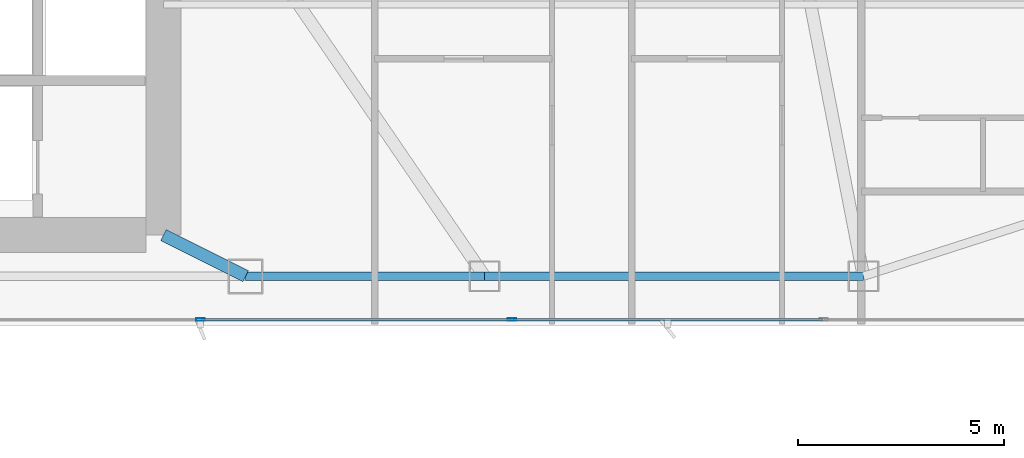
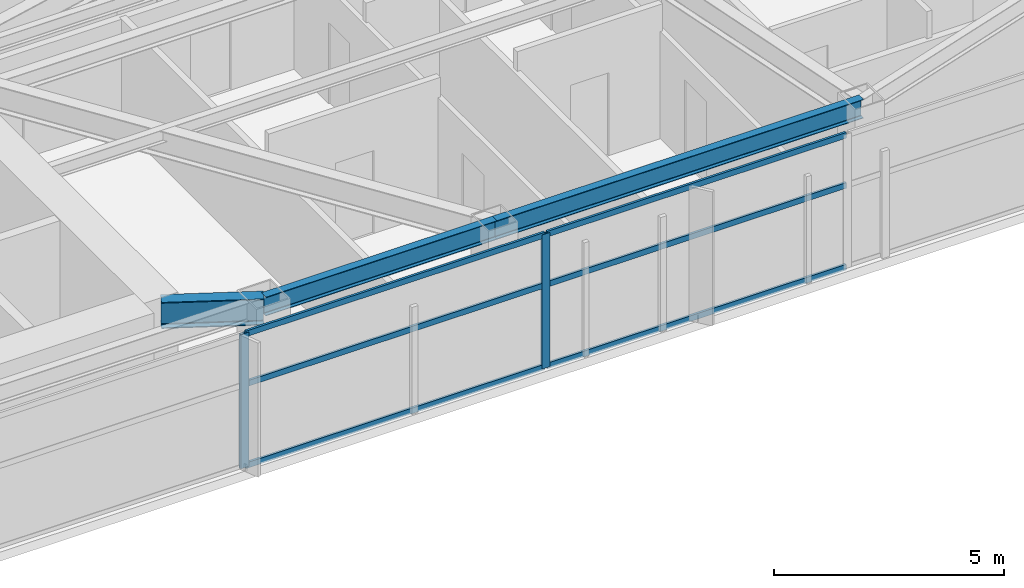
# One storey, part 12 of 29: 8 members, 3 beams, 1 element without a shape of its own.
"""IFC4 building model written with IfcOpenShell, lengths in metres."""

from ifc_helpers import new_model, si_unit, direction, frame, origin, origin_2d, place, context, subcontext, project, spatial, hollow_rectangle, i_section, extrude, material, layer, layer_set, material_profile, profile_set, type_object, element, aggregate, save


model = new_model("IFC4")

# Units and contexts
model_context = context("Model", 3, precision=1e-05, world=origin(), true_north=direction((0.0, 1.0)))
body_context = subcontext(model_context, "Body", "Model", "MODEL_VIEW")
ifc_project = project(units=[si_unit("LENGTHUNIT", "METRE"), si_unit("AREAUNIT", "SQUARE_METRE"), si_unit("VOLUMEUNIT", "CUBIC_METRE"), si_unit("PLANEANGLEUNIT", "RADIAN"), si_unit("MASSUNIT", "GRAM", prefix="KILO")], contexts=[model_context])

# Site, building, storey
site_placement = place(None, origin())
site = spatial("IfcSite", under=ifc_project, at=site_placement, CompositionType="ELEMENT")
building_placement = place(site_placement, origin())
building = spatial("IfcBuilding", under=site, at=building_placement, Name="Calvorn Quay Hotel", CompositionType="ELEMENT")
storey_placement = place(building_placement, frame((0.0, 0.0, 124.0)))
storey = spatial("IfcBuildingStorey", under=building, at=storey_placement, Name="L30", CompositionType="ELEMENT", Elevation=124.0)

# Beams
ifc_material_1 = material(Name="Steel Q390GJC", Category="steel")
ifc_material_profile_1 = material_profile(ifc_material_1, i_section(OverallWidth=0.300048828125, OverallDepth=0.699951171875, WebThickness=0.012939453125, FlangeThickness=0.02392578125, FilletRadius=0.02392578125, at=origin_2d()), Name="HN700x300x13x24")
ifc_profile_set_1 = profile_set([ifc_material_profile_1], Name="Steel Q390GJC")
beam_type_1 = type_object("IfcBeamType", Name="BM-GIRD-MAIN", PredefinedType="BEAM", material=ifc_profile_set_1)
beam_1_placement = place(storey_placement, frame((34.39990234375, 3.60009765625, 3.18994140625), z_axis=(-0.894427191, 0.4472135955, 0.0), x_axis=(-0.4472135955, -0.894427191, 0.0)))
element("IfcBeam", 1, at=beam_1_placement, inside=storey, type_object=beam_type_1, Name="Beam BG-L30-S3", PredefinedType="BEAM", context=body_context, shape_type="SweptSolid", body=[
    extrude(i_section(OverallWidth=0.300048828125, OverallDepth=0.699951171875, WebThickness=0.012939453125, FlangeThickness=0.02392578125, FilletRadius=0.02392578125, at=origin_2d()), origin(), (0.0, 0.0, 1.0), 2.236083984375),
])
ifc_material_2 = material(Name="Steel Q355B", Category="steel")
ifc_material_profile_2 = material_profile(ifc_material_2, i_section(OverallWidth=0.199951171875, OverallDepth=0.5, WebThickness=0.010009765625, FlangeThickness=0.01611328125, FilletRadius=0.01611328125, at=origin_2d()), Name="HN500x200x10x16")
ifc_profile_set_2 = profile_set([ifc_material_profile_2], Name="Steel Q355B")
beam_type_2 = type_object("IfcBeamType", Name="BM-SPANDREL-Z1", PredefinedType="SPANDREL", material=ifc_profile_set_2)
beam_2_placement = place(storey_placement, frame((34.39990234375, 3.60009765625, 3.2900390625), z_axis=(1.0, 0.0, 0.0), x_axis=(0.0, 1.0, 0.0)))
element("IfcBeam", 2, at=beam_2_placement, inside=storey, type_object=beam_type_2, Name="Beam BSP-L30-S4", PredefinedType="SPANDREL", context=body_context, shape_type="SweptSolid", body=[
    extrude(i_section(OverallWidth=0.199951171875, OverallDepth=0.5, WebThickness=0.010009765625, FlangeThickness=0.01611328125, FilletRadius=0.01611328125, at=origin_2d()), origin(), (0.0, 0.0, 1.0), 5.800048828125),
])
beam_3_placement = place(storey_placement, frame((40.199951171875, 3.60009765625, 3.2900390625), z_axis=(1.0, 0.0, 0.0), x_axis=(0.0, 1.0, 0.0)))
element("IfcBeam", 3, at=beam_3_placement, inside=storey, type_object=beam_type_2, Name="Beam BSP-L30-S5", PredefinedType="SPANDREL", context=body_context, shape_type="SweptSolid", body=[
    extrude(i_section(OverallWidth=0.199951171875, OverallDepth=0.5, WebThickness=0.010009765625, FlangeThickness=0.01611328125, FilletRadius=0.01611328125, at=origin_2d()), origin(), (0.0, 0.0, 1.0), 9.199951171875),
])

# Curtain wall, members
ifc_material_3 = material(Name="Pale Anodised Aluminium and Low-E Glass", Category="aluminium")
ifc_layer = layer(ifc_material_3, 0.219970703125)
ifc_layer_set = layer_set([ifc_layer], Name="CW-SYS-Z2")
curtain_wall_type = type_object("IfcCurtainWallType", Name="CW-SYS-Z2", PredefinedType="NOTDEFINED", material=ifc_layer_set)
curtain_wall_placement = place(storey_placement, origin())
curtain_wall = element("IfcCurtainWall", 4, at=curtain_wall_placement, inside=storey, type_object=curtain_wall_type, Name="Tower South Waterfront Curtain Wall (L30)", PredefinedType="NOTDEFINED")
ifc_material_4 = material(Name="Pale Anodised Aluminium 6063-T6", Category="aluminium")
ifc_material_profile_3 = material_profile(ifc_material_4, hollow_rectangle(XDim=0.070068359375, YDim=0.199951171875, WallThickness=0.00390625, at=origin_2d()), Name="ALU-M200x70x4")
ifc_profile_set_3 = profile_set([ifc_material_profile_3], Name="Pale Anodised Aluminium 6063-T6")
member_type_1 = type_object("IfcMemberType", Name="CW-SYS-Z2-MUL", PredefinedType="MULLION", material=ifc_profile_set_3)
member_1_placement = place(storey_placement, frame((33.300048828125, 2.550048828125, 0.0), z_axis=(0.0, 0.0, 1.0), x_axis=(0.0, 1.0, 0.0)))
member_1 = element("IfcMember", 5, at=member_1_placement, type_object=member_type_1, Name="CW-L30-S mullion 4", PredefinedType="MULLION", context=body_context, shape_type="SweptSolid", body=[
    extrude(hollow_rectangle(XDim=0.070068359375, YDim=0.199951171875, WallThickness=0.00390625, at=origin_2d()), origin(), (0.0, 0.0, 1.0), 3.56005859375),
])
member_2_placement = place(storey_placement, frame((40.86669921875, 2.550048828125, 0.0), z_axis=(0.0, 0.0, 1.0), x_axis=(0.0, 1.0, 0.0)))
member_2 = element("IfcMember", 6, at=member_2_placement, type_object=member_type_1, Name="CW-L30-S mullion 5", PredefinedType="MULLION", context=body_context, shape_type="SweptSolid", body=[
    extrude(hollow_rectangle(XDim=0.070068359375, YDim=0.199951171875, WallThickness=0.00390625, at=origin_2d()), origin(), (0.0, 0.0, 1.0), 3.56005859375),
])
ifc_material_5 = material(Name="Pale Anodised Aluminium 6063-T6", Category="aluminium")
ifc_material_profile_4 = material_profile(ifc_material_5, hollow_rectangle(XDim=0.06005859375, YDim=0.14990234375, WallThickness=0.00341796875, at=origin_2d()), Name="ALU-T150x60x3.5")
ifc_profile_set_4 = profile_set([ifc_material_profile_4], Name="Pale Anodised Aluminium 6063-T6")
member_type_2 = type_object("IfcMemberType", Name="CW-SYS-Z2-TRN", PredefinedType="USERDEFINED", material=ifc_profile_set_4)
member_3_placement = place(storey_placement, frame((33.330078125, 2.550048828125, 0.030029296875), z_axis=(1.0, 0.0, 0.0), x_axis=(0.0, 1.0, 0.0)))
member_3 = element("IfcMember", 7, at=member_3_placement, type_object=member_type_2, Name="CW-L30-S transom 4.1", ObjectType="TRANSOM", PredefinedType="USERDEFINED", context=body_context, shape_type="SweptSolid", body=[
    extrude(hollow_rectangle(XDim=0.06005859375, YDim=0.14990234375, WallThickness=0.00341796875, at=origin_2d()), origin(), (0.0, 0.0, 1.0), 7.506591796875),
])
member_4_placement = place(storey_placement, frame((33.330078125, 2.550048828125, 2.199951171875), z_axis=(1.0, 0.0, 0.0), x_axis=(0.0, 1.0, 0.0)))
member_4 = element("IfcMember", 8, at=member_4_placement, type_object=member_type_2, Name="CW-L30-S transom 4.2", ObjectType="TRANSOM", PredefinedType="USERDEFINED", context=body_context, shape_type="SweptSolid", body=[
    extrude(hollow_rectangle(XDim=0.06005859375, YDim=0.14990234375, WallThickness=0.00341796875, at=origin_2d()), origin(), (0.0, 0.0, 1.0), 7.506591796875),
])
member_5_placement = place(storey_placement, frame((33.330078125, 2.550048828125, 3.530029296875), z_axis=(1.0, 0.0, 0.0), x_axis=(0.0, 1.0, 0.0)))
member_5 = element("IfcMember", 9, at=member_5_placement, type_object=member_type_2, Name="CW-L30-S transom 4.3", ObjectType="TRANSOM", PredefinedType="USERDEFINED", context=body_context, shape_type="SweptSolid", body=[
    extrude(hollow_rectangle(XDim=0.06005859375, YDim=0.14990234375, WallThickness=0.00341796875, at=origin_2d()), origin(), (0.0, 0.0, 1.0), 7.506591796875),
])
member_6_placement = place(storey_placement, frame((40.896728515625, 2.550048828125, 0.030029296875), z_axis=(1.0, 0.0, 0.0), x_axis=(0.0, 1.0, 0.0)))
member_6 = element("IfcMember", 10, at=member_6_placement, type_object=member_type_2, Name="CW-L30-S transom 5.1", ObjectType="TRANSOM", PredefinedType="USERDEFINED", context=body_context, shape_type="SweptSolid", body=[
    extrude(hollow_rectangle(XDim=0.06005859375, YDim=0.14990234375, WallThickness=0.00341796875, at=origin_2d()), origin(), (0.0, 0.0, 1.0), 7.506591796875),
])
member_7_placement = place(storey_placement, frame((40.896728515625, 2.550048828125, 2.199951171875), z_axis=(1.0, 0.0, 0.0), x_axis=(0.0, 1.0, 0.0)))
member_7 = element("IfcMember", 11, at=member_7_placement, type_object=member_type_2, Name="CW-L30-S transom 5.2", ObjectType="TRANSOM", PredefinedType="USERDEFINED", context=body_context, shape_type="SweptSolid", body=[
    extrude(hollow_rectangle(XDim=0.06005859375, YDim=0.14990234375, WallThickness=0.00341796875, at=origin_2d()), origin(), (0.0, 0.0, 1.0), 7.506591796875),
])
member_8_placement = place(storey_placement, frame((40.896728515625, 2.550048828125, 3.530029296875), z_axis=(1.0, 0.0, 0.0), x_axis=(0.0, 1.0, 0.0)))
member_8 = element("IfcMember", 12, at=member_8_placement, type_object=member_type_2, Name="CW-L30-S transom 5.3", ObjectType="TRANSOM", PredefinedType="USERDEFINED", context=body_context, shape_type="SweptSolid", body=[
    extrude(hollow_rectangle(XDim=0.06005859375, YDim=0.14990234375, WallThickness=0.00341796875, at=origin_2d()), origin(), (0.0, 0.0, 1.0), 7.506591796875),
])
aggregate(curtain_wall, [member_1, member_2, member_3, member_4, member_5, member_6, member_7, member_8])

save(model, "model.ifc")
